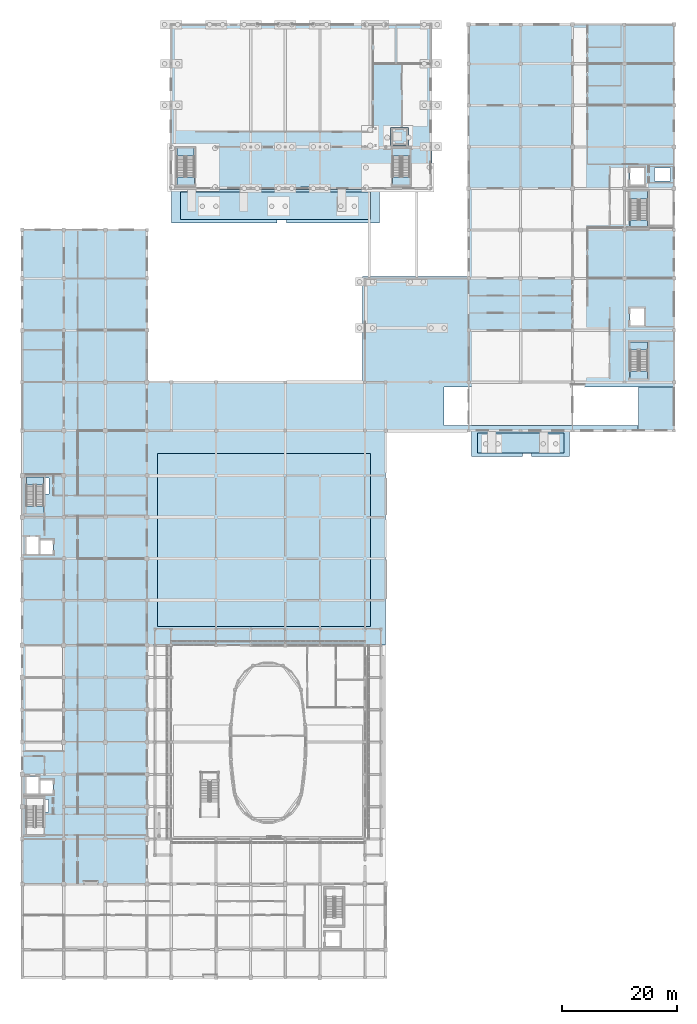
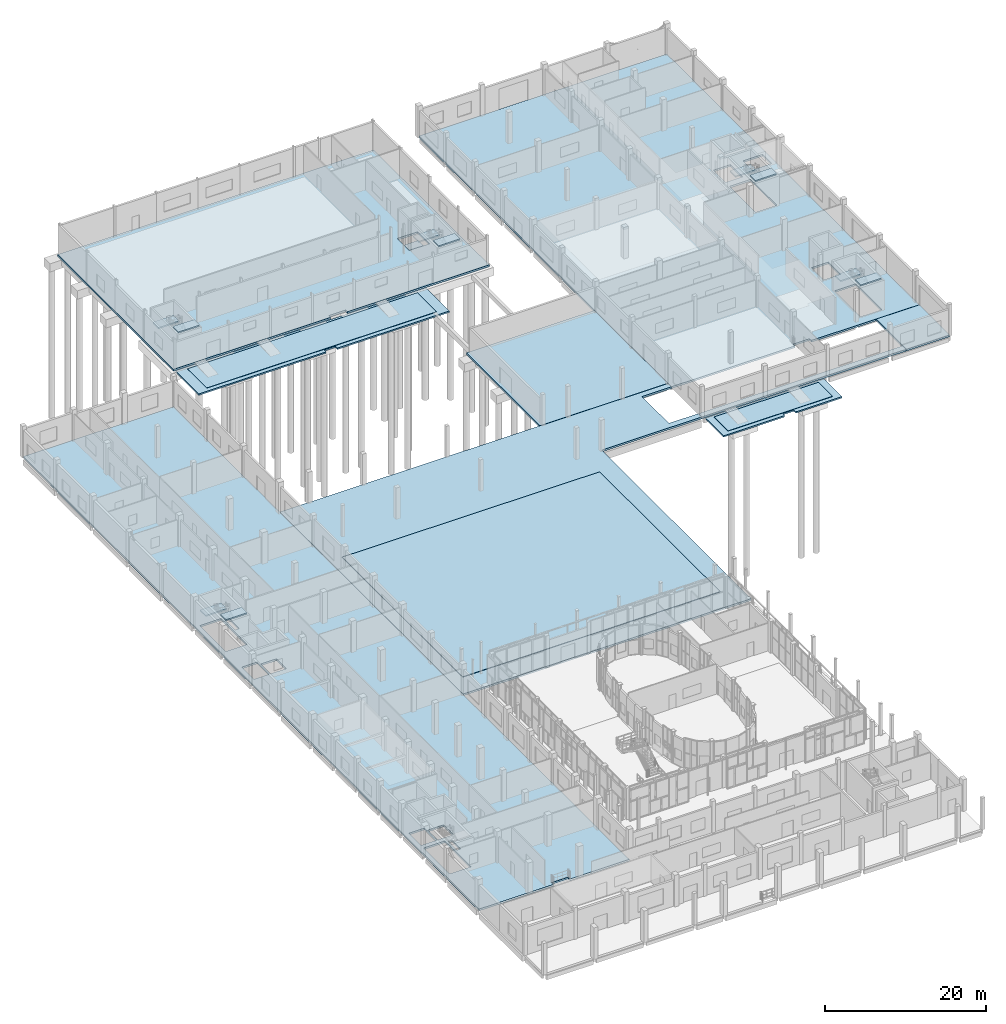
# One storey, part 58 of 91: 23 slabs, 5 elements without a shape of their own.
"""IFC4 building model written with IfcOpenShell, lengths in metres."""

import ifcopenshell
import ifcopenshell.guid

model = None  # the IFC model being written
_history = None  # IfcOwnerHistory: only IFC2X3 demands one
_inside = {}  # id of a spatial element -> (the spatial element, [elements in it])
_under = {}  # id of a project, library or spatial element -> (it, [spatial elements below it])
_declared = {}  # id of a project -> (the project, [libraries it declares])
_typed = {}  # id of a type object -> (the type object, [elements of that type])
_made_of = {}  # id of a material, layer set ... -> (it, [elements and type objects made of it])


def new_model(schema):
    """Start an empty IFC model of exactly this schema.

    Asked for "IFC4X3", IfcOpenShell would pick the latest addendum, in which some entities
    have other attributes; the version numbers below select the first issue.
    IFC2X3 requires an IfcOwnerHistory on every rooted entity: one is made here for all.
    """
    global model, _history
    if schema == "IFC4X3":
        model = ifcopenshell.file(schema_version=(4, 3, 0, 0))
    else:
        model = ifcopenshell.file(schema=schema)
    _inside.clear()
    _under.clear()
    _declared.clear()
    _typed.clear()
    _made_of.clear()
    _history = None
    if model.schema == "IFC2X3":
        org = make("IfcOrganization", Name="unknown")
        user = make(
            "IfcPersonAndOrganization",
            ThePerson=make("IfcPerson", FamilyName="unknown"),
            TheOrganization=org,
        )
        app = make(
            "IfcApplication",
            ApplicationDeveloper=org,
            Version="unknown",
            ApplicationFullName="unknown",
            ApplicationIdentifier="unknown",
        )
        _history = make(
            "IfcOwnerHistory",
            OwningUser=user,
            OwningApplication=app,
            ChangeAction="ADDED",
            CreationDate=0,
        )
    return model


def make(cls, **values):
    """One entity of the class cls with the attributes given. An attribute that is None is left unset."""
    return model.create_entity(
        cls, **{name: value for name, value in values.items() if value is not None}
    )


def rooted(cls, **values):
    """An entity with a GlobalId (a new one), such as an element, a storey or a relation."""
    return make(cls, GlobalId=ifcopenshell.guid.new(), OwnerHistory=_history, **values)


def si_unit(unit_type, name, prefix=None):
    """IfcSIUnit, for example si_unit("LENGTHUNIT", "METRE", prefix="MILLI")."""
    return make("IfcSIUnit", UnitType=unit_type, Prefix=prefix, Name=name)


def assignment(units):
    """IfcUnitAssignment: the units of a project."""
    return None if units is None else make("IfcUnitAssignment", Units=units)


def point(xyz):
    """IfcCartesianPoint."""
    return None if xyz is None else make("IfcCartesianPoint", Coordinates=xyz)


def direction(xyz):
    """IfcDirection."""
    return None if xyz is None else make("IfcDirection", DirectionRatios=xyz)


def frame(location, z_axis=None, x_axis=None):
    """IfcAxis2Placement3D, a coordinate frame: its origin and axes. An axis left out is left unset."""
    return make(
        "IfcAxis2Placement3D",
        Location=point(location),
        Axis=direction(z_axis),
        RefDirection=direction(x_axis),
    )


def origin():
    """The frame at (0, 0, 0) with its axes left unset."""
    return frame((0.0, 0.0, 0.0))


def place(relative_to, where):
    """IfcLocalPlacement: puts the frame where relative to a parent placement (None: the world)."""
    return make(
        "IfcLocalPlacement", PlacementRelTo=relative_to, RelativePlacement=where
    )


def context(
    kind, dimensions, precision=None, world=None, true_north=None, identifier=None
):
    """IfcGeometricRepresentationContext, for example the 3D "Model" context."""
    return make(
        "IfcGeometricRepresentationContext",
        ContextIdentifier=identifier,
        ContextType=kind,
        CoordinateSpaceDimension=dimensions,
        Precision=precision,
        WorldCoordinateSystem=world,
        TrueNorth=true_north,
    )


def subcontext(parent, identifier, kind, view, scale=None):
    """IfcGeometricRepresentationSubContext, for example "Body" below "Model"."""
    return make(
        "IfcGeometricRepresentationSubContext",
        ContextIdentifier=identifier,
        ContextType=kind,
        ParentContext=parent,
        TargetScale=scale,
        TargetView=view,
    )


def project(units=None, contexts=None):
    """IfcProject with its units and contexts."""
    return rooted(
        "IfcProject",
        Name="project",
        RepresentationContexts=contexts,
        UnitsInContext=assignment(units),
    )


def spatial(cls, under=None, at=None, **own):
    """A site, building, storey or space (cls), placed at a placement, below another one or the project."""
    s = rooted(cls, ObjectPlacement=at, **own)
    if under is not None:
        _under.setdefault(under.id(), (under, []))[1].append(s)
    return s


def polyline(points):
    """IfcPolyline through the points."""
    return make("IfcPolyline", Points=[point(p) for p in points])


def outline(outer, holes=None, kind="AREA"):
    """IfcArbitraryClosedProfileDef: a profile drawn as a closed curve; with holes, ...WithVoids."""
    if holes is None:
        return make("IfcArbitraryClosedProfileDef", ProfileType=kind, OuterCurve=outer)
    return make(
        "IfcArbitraryProfileDefWithVoids",
        ProfileType=kind,
        OuterCurve=outer,
        InnerCurves=holes,
    )


def extrude(swept, where, along, depth):
    """IfcExtrudedAreaSolid: the profile swept, set in the frame where, extruded along a direction by depth."""
    return make(
        "IfcExtrudedAreaSolid",
        SweptArea=swept,
        Position=where,
        ExtrudedDirection=direction(along),
        Depth=depth,
    )


def shape(context_of_items, identifier, shape_type, items):
    """IfcShapeRepresentation: the items that make up one representation, for example the "Body"."""
    return make(
        "IfcShapeRepresentation",
        ContextOfItems=context_of_items,
        RepresentationIdentifier=identifier,
        RepresentationType=shape_type,
        Items=items,
    )


def material(Name=None, Category=None):
    """IfcMaterial."""
    return make("IfcMaterial", Name=Name, Category=Category)


def layer(
    of_material, thickness, ventilated=None, Name=None, Category=None, Priority=None
):
    """IfcMaterialLayer: one layer of a wall or slab, of a material (None: an air gap)."""
    return make(
        "IfcMaterialLayer",
        Material=of_material,
        LayerThickness=thickness,
        IsVentilated=ventilated,
        Name=Name,
        Category=Category,
        Priority=Priority,
    )


def layer_set(layers, Name=None):
    """IfcMaterialLayerSet."""
    return make("IfcMaterialLayerSet", MaterialLayers=layers, LayerSetName=Name)


def made_of(thing, what):
    """Note that an element or type object is made of a material, layer set ...; save() writes the relation."""
    if what is not None:
        _made_of.setdefault(what.id(), (what, []))[1].append(thing)
    return thing


def type_object(cls, material=None, **own):
    """A type object (cls), such as IfcWallType, which elements share."""
    return made_of(rooted(cls, **own), material)


def element(
    cls,
    number,
    at=None,
    inside=None,
    cuts=None,
    type_object=None,
    material=None,
    context=None,
    identifier="Body",
    shape_type=None,
    held_by="IfcProductDefinitionShape",
    body=None,
    shapes=None,
    **own,
):
    """One element of the class cls, such as IfcWall. Its Tag is "e" and its number.

    at: its placement. inside: the storey or other place that contains it. cuts: it is an
    opening in that element (IfcRelVoidsElement). A single representation is given by context,
    identifier, shape_type and body (its items); several are given by shapes. held_by: the class
    of the entity that holds the representations. save() writes the other relations.
    """
    e = rooted(cls, Tag="e%d" % number, ObjectPlacement=at, **own)
    if body is not None:
        shapes = [shape(context, identifier, shape_type, body)]
    if shapes is not None:
        e.Representation = make(held_by, Representations=shapes)
    if inside is not None:
        _inside.setdefault(inside.id(), (inside, []))[1].append(e)
    if cuts is not None:
        rooted(
            "IfcRelVoidsElement", RelatingBuildingElement=cuts, RelatedOpeningElement=e
        )
    if type_object is not None:
        _typed.setdefault(type_object.id(), (type_object, []))[1].append(e)
    return made_of(e, material)


def aggregate(whole, parts):
    """IfcRelAggregates: a whole, such as a stair, and the parts it consists of."""
    return rooted("IfcRelAggregates", RelatingObject=whole, RelatedObjects=parts)


def save(model, path):
    """Write the relations noted so far, then the file.

    IfcRelAggregates (storeys below a building ...), IfcRelContainedInSpatialStructure (elements
    in a storey), IfcRelDefinesByType, IfcRelAssociatesMaterial and IfcRelDeclares: one each for
    every whole, place, type object, material and project.
    """
    for whole, parts in _under.values():
        aggregate(whole, parts)
    for where, things in _inside.values():
        rooted(
            "IfcRelContainedInSpatialStructure",
            RelatedElements=things,
            RelatingStructure=where,
        )
    for kind, things in _typed.values():
        rooted("IfcRelDefinesByType", RelatedObjects=things, RelatingType=kind)
    for what, things in _made_of.values():
        rooted("IfcRelAssociatesMaterial", RelatedObjects=things, RelatingMaterial=what)
    for by, libraries in _declared.values():
        rooted("IfcRelDeclares", RelatingContext=by, RelatedDefinitions=libraries)
    model.write(path)


model = new_model("IFC4")

# Units and contexts
model_context = context("Model", 3, precision=1e-05, world=origin(), true_north=direction((0.0, 1.0)))
body_context = subcontext(model_context, "Body", "Model", "MODEL_VIEW")
ifc_project = project(units=[si_unit("LENGTHUNIT", "METRE"), si_unit("AREAUNIT", "SQUARE_METRE"), si_unit("VOLUMEUNIT", "CUBIC_METRE"), si_unit("PLANEANGLEUNIT", "RADIAN"), si_unit("MASSUNIT", "GRAM", prefix="KILO")], contexts=[model_context])

# Site, building, storey
site_placement = place(None, origin())
site = spatial("IfcSite", under=ifc_project, at=site_placement, CompositionType="ELEMENT")
building_placement = place(site_placement, origin())
building = spatial("IfcBuilding", under=site, at=building_placement, Name="Vinh Khe Railworks Police Headquarters", CompositionType="ELEMENT")
storey_placement = place(building_placement, origin())
storey = spatial("IfcBuildingStorey", under=building, at=storey_placement, Name="L00", CompositionType="ELEMENT", Elevation=0.0)

# Slabs
ifc_material_1 = material(Name="Concrete C35/45 (B35)", Category="concrete")
ifc_layer_1 = layer(ifc_material_1, 0.280029296875)
ifc_layer_set_1 = layer_set([ifc_layer_1], Name="Concrete C35/45 (B35)")
slab_type_1 = type_object("IfcSlabType", Name="Ground Plinth Slab 280", PredefinedType="BASESLAB", material=ifc_layer_set_1)
slab_1_placement = place(storey_placement, frame((0.0, 0.0, -0.280029296875)))
element("IfcSlab", 1, at=slab_1_placement, inside=storey, type_object=slab_type_1, Name="V3 Base Slab (L00)", PredefinedType="BASESLAB", context=body_context, shape_type="SweptSolid", body=[
    extrude(outline(polyline([(26.199951171875, 137.800048828125), (48.800048828125, 137.800048828125), (48.800048828125, 138.25), (51.199951171875, 138.25), (51.199951171875, 137.800048828125), (71.60009765625, 137.800048828125), (71.60009765625, 166.60009765625), (26.199951171875, 166.60009765625), (26.199951171875, 137.800048828125)]), holes=[polyline([(64.5400390625, 145.489990234375), (67.4599609375, 145.489990234375), (67.4599609375, 148.4599609375), (64.5400390625, 148.4599609375), (64.5400390625, 145.489990234375)])]), origin(), (0.0, 0.0, 1.0), 0.280029296875),
])
slab_2_placement = place(storey_placement, frame((0.0, 0.0, -0.5400390625)))
element("IfcSlab", 2, at=slab_2_placement, inside=storey, type_object=slab_type_1, Name="PAV-1 Base Slab (L00)", PredefinedType="BASESLAB", context=body_context, shape_type="SweptSolid", body=[
    extrude(outline(polyline([(26.5, 132.0), (44.800048828125, 132.0), (44.800048828125, 132.5), (46.39990234375, 132.5), (46.39990234375, 132.0), (62.5, 132.0), (62.5, 137.7900390625), (26.5, 137.7900390625), (26.5, 132.0)])), origin(), (0.0, 0.0, 1.0), 0.219970703125),
])
slab_3_placement = place(storey_placement, frame((0.0, 0.0, -0.5400390625)))
element("IfcSlab", 3, at=slab_3_placement, inside=storey, type_object=slab_type_1, Name="PAV-2 Base Slab (L00)", PredefinedType="BASESLAB", context=body_context, shape_type="SweptSolid", body=[
    extrude(outline(polyline([(78.5, 91.5), (87.300048828125, 91.5), (87.300048828125, 92.0), (88.89990234375, 92.0), (88.89990234375, 91.5), (95.5, 91.5), (95.5, 95.989990234375), (78.5, 95.989990234375), (78.5, 91.5)])), origin(), (0.0, 0.0, 1.0), 0.219970703125),
])
ifc_layer_2 = layer(ifc_material_1, 0.0400390625)
ifc_layer_set_2 = layer_set([ifc_layer_2], Name="Concrete C35/45 (B35)")
slab_type_2 = type_object("IfcSlabType", Name="SLB-APRON-200", PredefinedType="USERDEFINED", material=ifc_layer_set_2)
slab_4_placement = place(storey_placement, origin())
element("IfcSlab", 4, at=slab_4_placement, inside=storey, type_object=slab_type_2, Name="Exterior Courtyard and Plinth Paving SLB-APRON-COURT-N", ObjectType="PAVING", PredefinedType="USERDEFINED", context=body_context, shape_type="SweptSolid", body=[
    extrude(outline(polyline([(24.0, 62.0), (61.0, 62.0), (61.0, 92.0), (24.0, 92.0), (24.0, 62.0)])), origin(), (0.0, 0.0, 1.0), 0.0400390625),
])
slab_5_placement = place(storey_placement, frame((0.0, 0.0, -0.320068359375)))
element("IfcSlab", 5, at=slab_5_placement, inside=storey, type_object=slab_type_2, Name="Exterior Courtyard and Plinth Paving SLB-APRON-PLINTH-1", ObjectType="PAVING", PredefinedType="USERDEFINED", context=body_context, shape_type="SweptSolid", body=[
    extrude(outline(polyline([(28.0, 132.60009765625), (61.0, 132.60009765625), (61.0, 137.39990234375), (28.0, 137.39990234375), (28.0, 132.60009765625)])), origin(), (0.0, 0.0, 1.0), 0.0400390625),
])
slab_6_placement = place(storey_placement, frame((0.0, 0.0, -0.320068359375)))
element("IfcSlab", 6, at=slab_6_placement, inside=storey, type_object=slab_type_2, Name="Exterior Courtyard and Plinth Paving SLB-APRON-PLINTH-2", ObjectType="PAVING", PredefinedType="USERDEFINED", context=body_context, shape_type="SweptSolid", body=[
    extrude(outline(polyline([(79.5, 92.10009765625), (94.5, 92.10009765625), (94.5, 95.60009765625), (79.5, 95.60009765625), (79.5, 92.10009765625)])), origin(), (0.0, 0.0, 1.0), 0.0400390625),
])

# Stair, slabs
ifc_material_2 = material(Name="Precast concrete C40/50 (B40)", Category="concrete")
stair_type = type_object("IfcStairType", Name="ST-CORE-DOGLEG", PredefinedType="HALF_TURN_STAIR", material=ifc_material_2)
stair_1_placement = place(storey_placement, origin())
stair_1 = element("IfcStair", 7, at=stair_1_placement, inside=storey, type_object=stair_type, Name="L00 Escape Stair ST-02", PredefinedType="HALF_TURN_STAIR")
ifc_layer_3 = layer(ifc_material_1, 0.199951171875)
ifc_layer_set_3 = layer_set([ifc_layer_3], Name="Concrete C35/45 (B35)")
slab_type_3 = type_object("IfcSlabType", Name="SLB-LAND-200", PredefinedType="LANDING", material=ifc_layer_set_3)
slab_7_placement = place(storey_placement, frame((0.0, 0.0, 2.199951171875)))
slab_7 = element("IfcSlab", 8, at=slab_7_placement, type_object=slab_type_3, Name="ST-02 landing 1", PredefinedType="LANDING", context=body_context, shape_type="SweptSolid", body=[
    extrude(outline(polyline([(4.300048828125, 86.590087890625), (4.300048828125, 88.0), (1.300048828125, 88.0), (1.300048828125, 86.590087890625), (4.300048828125, 86.590087890625)])), origin(), (0.0, 0.0, 1.0), 0.199951171875),
])
slab_8_placement = place(storey_placement, frame((0.0, 0.0, 4.60009765625)))
slab_8 = element("IfcSlab", 9, at=slab_8_placement, type_object=slab_type_3, Name="ST-02 landing 2", PredefinedType="LANDING", context=body_context, shape_type="SweptSolid", body=[
    extrude(outline(polyline([(1.280029296875, 81.580078125), (4.320068359375, 81.580078125), (4.320068359375, 82.9599609375), (1.280029296875, 82.9599609375), (1.280029296875, 81.580078125)])), origin(), (0.0, 0.0, 1.0), 0.199951171875),
])
aggregate(stair_1, [slab_7, slab_8])

stair_2_placement = place(storey_placement, origin())
stair_2 = element("IfcStair", 10, at=stair_2_placement, inside=storey, type_object=stair_type, Name="L00 Escape Stair ST-03", PredefinedType="HALF_TURN_STAIR")
slab_9_placement = place(storey_placement, frame((0.0, 0.0, 2.199951171875)))
slab_9 = element("IfcSlab", 11, at=slab_9_placement, type_object=slab_type_3, Name="ST-03 landing 1", PredefinedType="LANDING", context=body_context, shape_type="SweptSolid", body=[
    extrude(outline(polyline([(109.0, 136.139892578125), (109.0, 137.550048828125), (106.0, 137.550048828125), (106.0, 136.139892578125), (109.0, 136.139892578125)])), origin(), (0.0, 0.0, 1.0), 0.199951171875),
])
slab_10_placement = place(storey_placement, frame((0.0, 0.0, 4.60009765625)))
slab_10 = element("IfcSlab", 12, at=slab_10_placement, type_object=slab_type_3, Name="ST-03 landing 2", PredefinedType="LANDING", context=body_context, shape_type="SweptSolid", body=[
    extrude(outline(polyline([(105.97998046875, 131.1298828125), (109.02001953125, 131.1298828125), (109.02001953125, 132.510009765625), (105.97998046875, 132.510009765625), (105.97998046875, 131.1298828125)])), origin(), (0.0, 0.0, 1.0), 0.199951171875),
])
aggregate(stair_2, [slab_9, slab_10])

stair_3_placement = place(storey_placement, origin())
stair_3 = element("IfcStair", 13, at=stair_3_placement, inside=storey, type_object=stair_type, Name="L00 Escape Stair ST-04", PredefinedType="HALF_TURN_STAIR")
slab_11_placement = place(storey_placement, frame((0.0, 0.0, 2.199951171875)))
slab_11 = element("IfcSlab", 14, at=slab_11_placement, type_object=slab_type_3, Name="ST-04 landing 1", PredefinedType="LANDING", context=body_context, shape_type="SweptSolid", body=[
    extrude(outline(polyline([(109.0, 109.989990234375), (109.0, 111.39990234375), (106.0, 111.39990234375), (106.0, 109.989990234375), (109.0, 109.989990234375)])), origin(), (0.0, 0.0, 1.0), 0.199951171875),
])
slab_12_placement = place(storey_placement, frame((0.0, 0.0, 4.60009765625)))
slab_12 = element("IfcSlab", 15, at=slab_12_placement, type_object=slab_type_3, Name="ST-04 landing 2", PredefinedType="LANDING", context=body_context, shape_type="SweptSolid", body=[
    extrude(outline(polyline([(105.97998046875, 104.97998046875), (109.02001953125, 104.97998046875), (109.02001953125, 106.360107421875), (105.97998046875, 106.360107421875), (105.97998046875, 104.97998046875)])), origin(), (0.0, 0.0, 1.0), 0.199951171875),
])
aggregate(stair_3, [slab_11, slab_12])

stair_4_placement = place(storey_placement, origin())
stair_4 = element("IfcStair", 16, at=stair_4_placement, inside=storey, type_object=stair_type, Name="L00 Escape Stair ST-06", PredefinedType="HALF_TURN_STAIR")
slab_13_placement = place(storey_placement, frame((0.0, 0.0, 2.199951171875)))
slab_13 = element("IfcSlab", 17, at=slab_13_placement, type_object=slab_type_3, Name="ST-06 landing 1", PredefinedType="LANDING", context=body_context, shape_type="SweptSolid", body=[
    extrude(outline(polyline([(67.800048828125, 143.590087890625), (67.800048828125, 145.0), (64.800048828125, 145.0), (64.800048828125, 143.590087890625), (67.800048828125, 143.590087890625)])), origin(), (0.0, 0.0, 1.0), 0.199951171875),
])
slab_14_placement = place(storey_placement, frame((0.0, 0.0, 4.60009765625)))
slab_14 = element("IfcSlab", 18, at=slab_14_placement, type_object=slab_type_3, Name="ST-06 landing 2", PredefinedType="LANDING", context=body_context, shape_type="SweptSolid", body=[
    extrude(outline(polyline([(64.780029296875, 138.580078125), (67.820068359375, 138.580078125), (67.820068359375, 139.9599609375), (64.780029296875, 139.9599609375), (64.780029296875, 138.580078125)])), origin(), (0.0, 0.0, 1.0), 0.199951171875),
])
aggregate(stair_4, [slab_13, slab_14])

stair_5_placement = place(storey_placement, origin())
stair_5 = element("IfcStair", 19, at=stair_5_placement, inside=storey, type_object=stair_type, Name="L00 Escape Stair ST-07", PredefinedType="HALF_TURN_STAIR")
slab_15_placement = place(storey_placement, frame((0.0, 0.0, 2.199951171875)))
slab_15 = element("IfcSlab", 20, at=slab_15_placement, type_object=slab_type_3, Name="ST-07 landing 1", PredefinedType="LANDING", context=body_context, shape_type="SweptSolid", body=[
    extrude(outline(polyline([(30.39990234375, 143.590087890625), (30.39990234375, 145.0), (27.39990234375, 145.0), (27.39990234375, 143.590087890625), (30.39990234375, 143.590087890625)])), origin(), (0.0, 0.0, 1.0), 0.199951171875),
])
slab_16_placement = place(storey_placement, frame((0.0, 0.0, 4.60009765625)))
slab_16 = element("IfcSlab", 21, at=slab_16_placement, type_object=slab_type_3, Name="ST-07 landing 2", PredefinedType="LANDING", context=body_context, shape_type="SweptSolid", body=[
    extrude(outline(polyline([(27.3798828125, 138.580078125), (30.419921875, 138.580078125), (30.419921875, 139.9599609375), (27.3798828125, 139.9599609375), (27.3798828125, 138.580078125)])), origin(), (0.0, 0.0, 1.0), 0.199951171875),
])
aggregate(stair_5, [slab_15, slab_16])

# Slabs
ifc_layer_4 = layer(ifc_material_1, 0.449951171875)
ifc_layer_set_4 = layer_set([ifc_layer_4], Name="Concrete C35/45 (B35)")
slab_type_4 = type_object("IfcSlabType", Name="SLB-PIT-300", PredefinedType="BASESLAB", material=ifc_layer_set_4)
slab_17_placement = place(storey_placement, frame((0.0, 0.0, -1.85009765625)))
element("IfcSlab", 22, at=slab_17_placement, inside=storey, type_object=slab_type_4, Name="Lift Pit Base PL-05", PredefinedType="BASESLAB", context=body_context, shape_type="SweptSolid", body=[
    extrude(outline(polyline([(64.449951171875, 145.449951171875), (67.550048828125, 145.449951171875), (67.550048828125, 148.550048828125), (64.449951171875, 148.550048828125), (64.449951171875, 145.449951171875)])), origin(), (0.0, 0.0, 1.0), 0.4501953125),
])
ifc_layer_5 = layer(ifc_material_1, 0.280029296875)
ifc_layer_set_5 = layer_set([ifc_layer_5], Name="Concrete C35/45 (B35)")
slab_type_5 = type_object("IfcSlabType", Name="Suspended Floor Slab 280", PredefinedType="FLOOR", material=ifc_layer_set_5)
slab_18_placement = place(storey_placement, frame((0.0, 0.0, -0.280029296875)))
element("IfcSlab", 23, at=slab_18_placement, inside=storey, type_object=slab_type_5, Name="V5 Floor Slab (L00)", PredefinedType="FLOOR", context=body_context, shape_type="SweptSolid", body=[
    extrude(outline(polyline([(0.60009765625, 17.39990234375), (11.300048828125, 17.39990234375), (11.300048828125, 17.85009765625), (13.699951171875, 17.85009765625), (13.699951171875, 17.39990234375), (22.199951171875, 17.39990234375), (22.199951171875, 130.800048828125), (0.60009765625, 130.800048828125), (0.60009765625, 17.39990234375)]), holes=[polyline([(1.27001953125, 25.8701171875), (4.330078125, 25.8701171875), (4.330078125, 32.330078125), (1.27001953125, 32.330078125), (1.27001953125, 25.8701171875)]), polyline([(1.280029296875, 32.97998046875), (3.52001953125, 32.97998046875), (3.52001953125, 36.02001953125), (1.280029296875, 36.02001953125), (1.280029296875, 32.97998046875)]), polyline([(3.679931640625, 32.97998046875), (5.919921875, 32.97998046875), (5.919921875, 35.419921875), (3.679931640625, 35.419921875), (3.679931640625, 32.97998046875)]), polyline([(1.27001953125, 81.570068359375), (4.330078125, 81.570068359375), (4.330078125, 88.030029296875), (1.27001953125, 88.030029296875), (1.27001953125, 81.570068359375)]), polyline([(1.280029296875, 74.580078125), (3.52001953125, 74.580078125), (3.52001953125, 77.6201171875), (1.280029296875, 77.6201171875), (1.280029296875, 74.580078125)]), polyline([(3.679931640625, 74.580078125), (5.919921875, 74.580078125), (5.919921875, 77.02001953125), (3.679931640625, 77.02001953125), (3.679931640625, 74.580078125)]), polyline([(4.60009765625, 29.85009765625), (5.179931640625, 29.85009765625), (5.179931640625, 32.050048828125), (4.60009765625, 32.050048828125), (4.60009765625, 29.85009765625)]), polyline([(4.60009765625, 85.050048828125), (5.219970703125, 85.050048828125), (5.219970703125, 87.75), (4.60009765625, 87.75), (4.60009765625, 85.050048828125)])]), origin(), (0.0, 0.0, 1.0), 0.280029296875),
])
slab_19_placement = place(storey_placement, frame((0.0, 0.0, -0.280029296875)))
element("IfcSlab", 24, at=slab_19_placement, inside=storey, type_object=slab_type_5, Name="V6A-S Floor Slab (L00)", PredefinedType="FLOOR", context=body_context, shape_type="SweptSolid", body=[
    extrude(outline(polyline([(78.0, 96.0), (107.35009765625, 96.0), (107.35009765625, 96.85009765625), (78.0, 96.85009765625), (78.0, 96.0)])), origin(), (0.0, 0.0, 1.0), 0.280029296875),
])
slab_20_placement = place(storey_placement, frame((0.0, 0.0, -0.280029296875)))
element("IfcSlab", 25, at=slab_20_placement, inside=storey, type_object=slab_type_5, Name="V6A-APRON Floor Slab (L00)", PredefinedType="FLOOR", context=body_context, shape_type="SweptSolid", body=[
    extrude(outline(polyline([(107.39990234375, 96.0), (113.60009765625, 96.0), (113.60009765625, 103.5400390625), (107.39990234375, 103.5400390625), (107.39990234375, 96.0)])), origin(), (0.0, 0.0, 1.0), 0.280029296875),
])
slab_21_placement = place(storey_placement, frame((0.0, 0.0, -0.280029296875)))
element("IfcSlab", 26, at=slab_21_placement, inside=storey, type_object=slab_type_5, Name="V6 Floor Slab (L00)", PredefinedType="FLOOR", context=body_context, shape_type="SweptSolid", body=[
    extrude(outline(polyline([(78.0, 103.550048828125), (95.699951171875, 103.550048828125), (95.699951171875, 104.0), (98.10009765625, 104.0), (98.10009765625, 103.550048828125), (113.60009765625, 103.550048828125), (113.60009765625, 166.39990234375), (78.0, 166.39990234375), (78.0, 103.550048828125)]), holes=[polyline([(105.969970703125, 131.1201171875), (109.030029296875, 131.1201171875), (109.030029296875, 137.580078125), (105.969970703125, 137.580078125), (105.969970703125, 131.1201171875)]), polyline([(105.97998046875, 138.580078125), (108.419921875, 138.580078125), (108.419921875, 141.6201171875), (105.97998046875, 141.6201171875), (105.97998046875, 138.580078125)]), polyline([(105.969970703125, 104.969970703125), (109.030029296875, 104.969970703125), (109.030029296875, 111.429931640625), (105.969970703125, 111.429931640625), (105.969970703125, 104.969970703125)]), polyline([(105.97998046875, 114.179931640625), (108.419921875, 114.179931640625), (108.419921875, 117.219970703125), (105.97998046875, 117.219970703125), (105.97998046875, 114.179931640625)]), polyline([(110.199951171875, 139.25), (113.0, 139.25), (113.0, 141.550048828125), (110.199951171875, 141.550048828125), (110.199951171875, 139.25)])]), origin(), (0.0, 0.0, 1.0), 0.280029296875),
])
slab_22_placement = place(storey_placement, frame((0.0, 0.0, -0.280029296875)))
element("IfcSlab", 27, at=slab_22_placement, inside=storey, type_object=slab_type_5, Name="COURT-MAIN Floor Slab (L00)", PredefinedType="FLOOR", context=body_context, shape_type="SweptSolid", body=[
    extrude(outline(polyline([(22.2099609375, 58.800048828125), (63.60009765625, 58.800048828125), (63.60009765625, 96.0), (77.989990234375, 96.0), (77.989990234375, 96.85009765625), (73.75, 96.85009765625), (73.75, 103.550048828125), (77.989990234375, 103.550048828125), (77.989990234375, 104.39990234375), (22.2099609375, 104.39990234375), (22.2099609375, 58.800048828125)])), origin(), (0.0, 0.0, 1.0), 0.280029296875),
])
slab_23_placement = place(storey_placement, frame((0.0, 0.0, -0.280029296875)))
element("IfcSlab", 28, at=slab_23_placement, inside=storey, type_object=slab_type_5, Name="CUST-YARD Floor Slab (L00)", PredefinedType="FLOOR", context=body_context, shape_type="SweptSolid", body=[
    extrude(outline(polyline([(59.60009765625, 104.419921875), (77.989990234375, 104.419921875), (77.989990234375, 122.699951171875), (59.60009765625, 122.699951171875), (59.60009765625, 104.419921875)])), origin(), (0.0, 0.0, 1.0), 0.280029296875),
])

save(model, "model.ifc")
